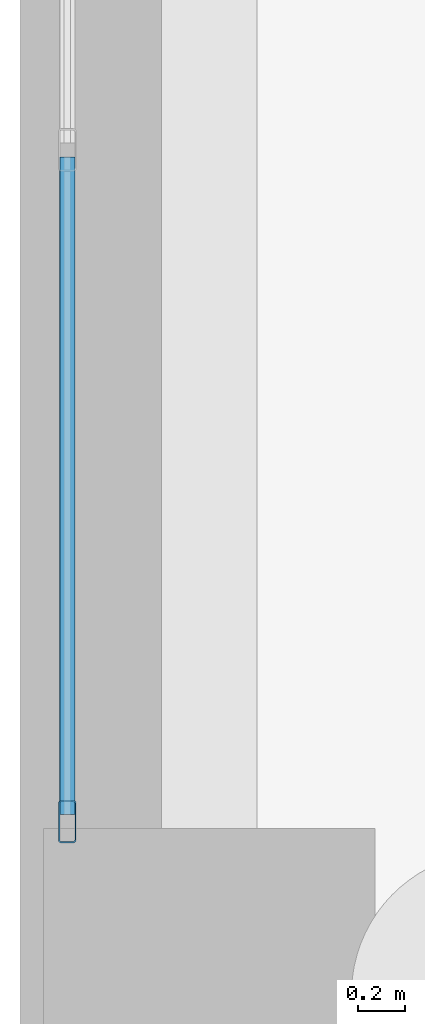
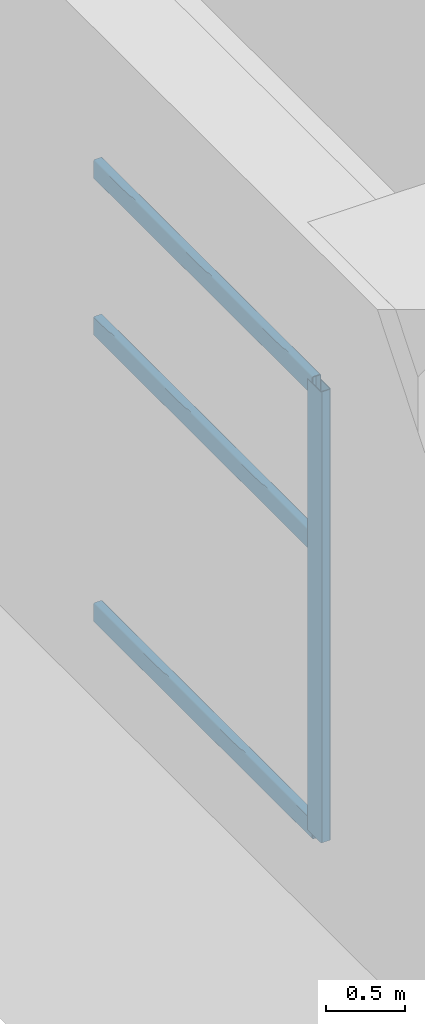
# One storey, part 6 of 25: 4 members, 1 element without a shape of its own.
"""IFC4 building model written with IfcOpenShell, lengths in metres."""

from ifc_helpers import new_model, si_unit, direction, frame, origin, origin_2d, place, context, subcontext, project, spatial, hollow_rectangle, extrude, material, layer, layer_set, material_profile, profile_set, type_object, element, aggregate, save


model = new_model("IFC4")

# Units and contexts
model_context = context("Model", 3, precision=1e-05, world=origin(), true_north=direction((0.0, 1.0)))
body_context = subcontext(model_context, "Body", "Model", "MODEL_VIEW")
ifc_project = project(units=[si_unit("LENGTHUNIT", "METRE"), si_unit("AREAUNIT", "SQUARE_METRE"), si_unit("VOLUMEUNIT", "CUBIC_METRE"), si_unit("PLANEANGLEUNIT", "RADIAN"), si_unit("MASSUNIT", "GRAM", prefix="KILO")], contexts=[model_context])

# Site, building, storey
site_placement = place(None, origin())
site = spatial("IfcSite", under=ifc_project, at=site_placement, CompositionType="ELEMENT")
building_placement = place(site_placement, origin())
building = spatial("IfcBuilding", under=site, at=building_placement, Name="Soratama Intermodal Tower", CompositionType="ELEMENT")
storey_placement = place(building_placement, frame((0.0, 0.0, -10.199951171875)))
storey = spatial("IfcBuildingStorey", under=building, at=storey_placement, Name="B2", CompositionType="ELEMENT", Elevation=-10.199951171875)

# Curtain wall, members
ifc_material_1 = material(Name="Double-glazed aluminium curtain wall", Category="aluminium")
ifc_layer = layer(ifc_material_1, 0.159912109375)
ifc_layer_set = layer_set([ifc_layer], Name="Double-glazed aluminium curtain wall")
curtain_wall_type = type_object("IfcCurtainWallType", Name="CW-SYS-1", PredefinedType="NOTDEFINED", material=ifc_layer_set)
curtain_wall_placement = place(storey_placement, origin())
curtain_wall = element("IfcCurtainWall", 1, at=curtain_wall_placement, inside=storey, type_object=curtain_wall_type, Name="B2 Station Curtain Wall W1", PredefinedType="NOTDEFINED")
ifc_material_2 = material(Name="Anodised aluminium AA 6063-T6", Category="aluminium")
ifc_material_profile_1 = material_profile(ifc_material_2, hollow_rectangle(XDim=0.074951171875, YDim=0.179931640625, WallThickness=0.006103515625, InnerFilletRadius=0.006103515625, OuterFilletRadius=0.011962890625, at=origin_2d()), Name="CWM180X75X6")
ifc_profile_set_1 = profile_set([ifc_material_profile_1], Name="Anodised aluminium AA 6063-T6")
member_type_1 = type_object("IfcMemberType", Name="MT-CWM-1", PredefinedType="MULLION", material=ifc_profile_set_1)
member_1_placement = place(storey_placement, frame((0.199951171875, 15.72998046875, 0.0), z_axis=(0.0, 0.0, 1.0), x_axis=(-1.0, 0.0, 0.0)))
member_1 = element("IfcMember", 2, at=member_1_placement, type_object=member_type_1, Name="CW-1 mullion 1", PredefinedType="MULLION", context=body_context, shape_type="SweptSolid", body=[
    extrude(hollow_rectangle(XDim=0.074951171875, YDim=0.179931640625, WallThickness=0.006103515625, InnerFilletRadius=0.006103515625, OuterFilletRadius=0.011962890625, at=origin_2d()), origin(), (0.0, 0.0, 1.0), 3.495849609375),
])
ifc_material_3 = material(Name="Anodised aluminium AA 6063-T6", Category="aluminium")
ifc_material_profile_2 = material_profile(ifc_material_3, hollow_rectangle(XDim=0.06494140625, YDim=0.14990234375, WallThickness=0.0048828125, InnerFilletRadius=0.0048828125, OuterFilletRadius=0.010009765625, at=origin_2d()), Name="CWT150X65X5")
ifc_profile_set_2 = profile_set([ifc_material_profile_2], Name="Anodised aluminium AA 6063-T6")
member_type_2 = type_object("IfcMemberType", Name="TT-CWT-1", PredefinedType="USERDEFINED", material=ifc_profile_set_2)
member_2_placement = place(storey_placement, frame((0.199951171875, 15.760009765625, 0.030029296875), z_axis=(0.0, 1.0, 0.0), x_axis=(-1.0, 0.0, 0.0)))
member_2 = element("IfcMember", 3, at=member_2_placement, type_object=member_type_2, Name="CW-1 transom 1.1", ObjectType="TRANSOM", PredefinedType="USERDEFINED", context=body_context, shape_type="SweptSolid", body=[
    extrude(hollow_rectangle(XDim=0.06494140625, YDim=0.14990234375, WallThickness=0.0048828125, InnerFilletRadius=0.0048828125, OuterFilletRadius=0.010009765625, at=origin_2d()), origin(), (0.0, 0.0, 1.0), 2.776611328125),
])
member_3_placement = place(storey_placement, frame((0.199951171875, 15.760009765625, 2.25), z_axis=(0.0, 1.0, 0.0), x_axis=(-1.0, 0.0, 0.0)))
member_3 = element("IfcMember", 4, at=member_3_placement, type_object=member_type_2, Name="CW-1 transom 1.2", ObjectType="TRANSOM", PredefinedType="USERDEFINED", context=body_context, shape_type="SweptSolid", body=[
    extrude(hollow_rectangle(XDim=0.06494140625, YDim=0.14990234375, WallThickness=0.0048828125, InnerFilletRadius=0.0048828125, OuterFilletRadius=0.010009765625, at=origin_2d()), origin(), (0.0, 0.0, 1.0), 2.776611328125),
])
member_4_placement = place(storey_placement, frame((0.199951171875, 15.760009765625, 3.466064453125), z_axis=(0.0, 1.0, 0.0), x_axis=(-1.0, 0.0, 0.0)))
member_4 = element("IfcMember", 5, at=member_4_placement, type_object=member_type_2, Name="CW-1 transom 1.3", ObjectType="TRANSOM", PredefinedType="USERDEFINED", context=body_context, shape_type="SweptSolid", body=[
    extrude(hollow_rectangle(XDim=0.06494140625, YDim=0.14990234375, WallThickness=0.0048828125, InnerFilletRadius=0.0048828125, OuterFilletRadius=0.010009765625, at=origin_2d()), origin(), (0.0, 0.0, 1.0), 2.776611328125),
])
aggregate(curtain_wall, [member_1, member_2, member_3, member_4])

save(model, "model.ifc")
